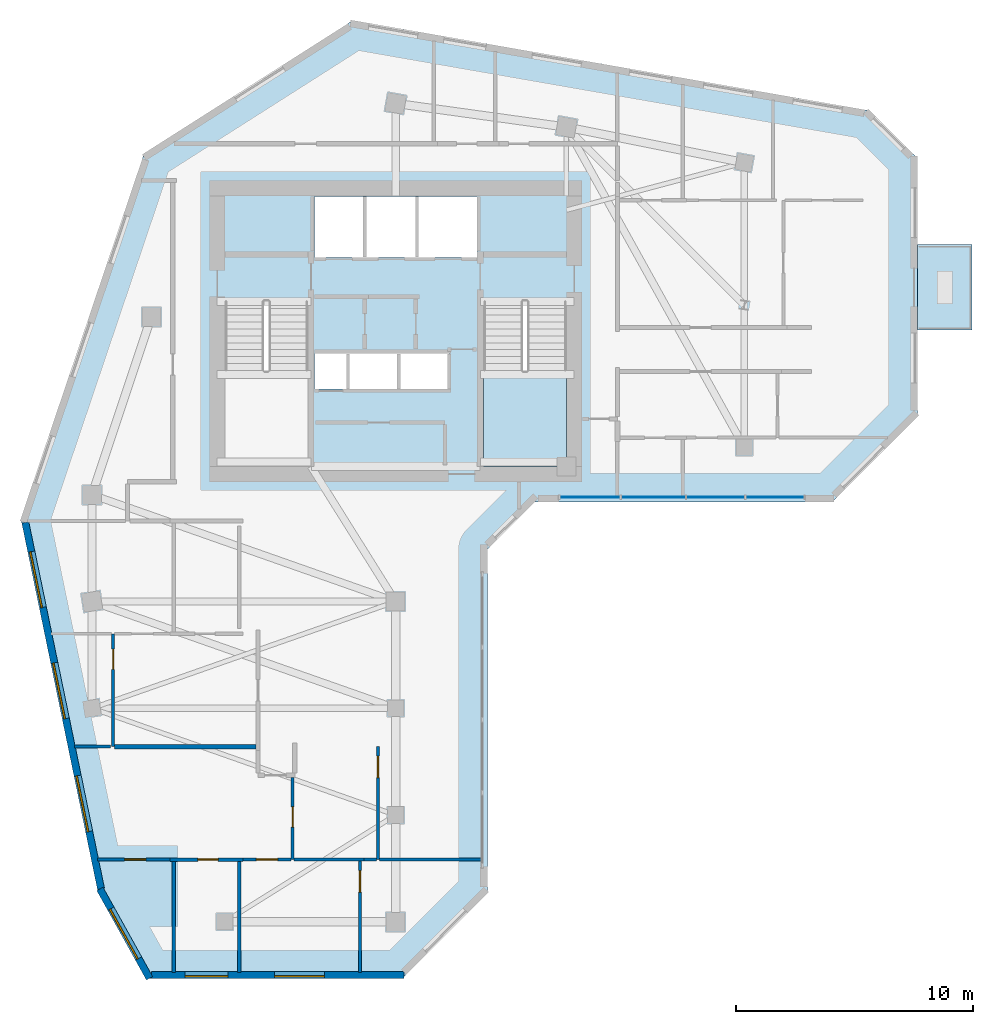
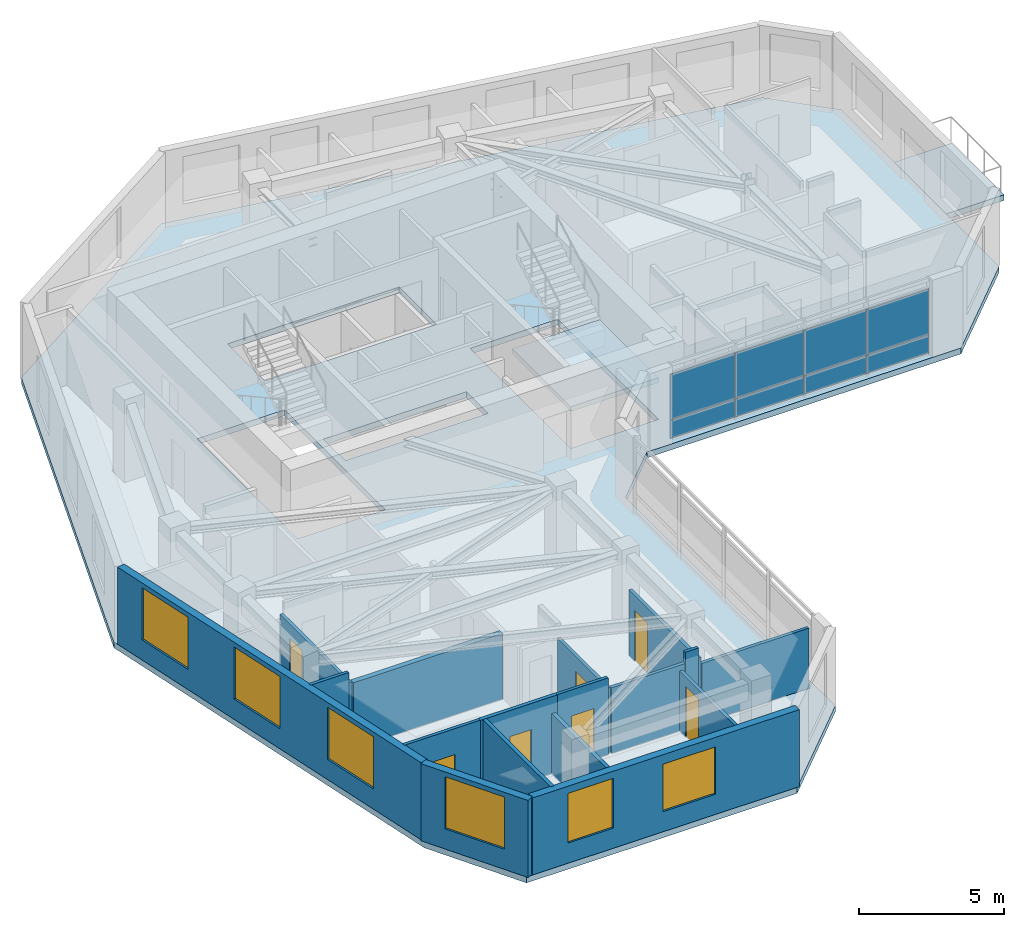
# One storey, part 3 of 10: 17 walls, 8 plates, 7 doors, 6 windows, 3 slabs, 13 openings, 2 elements without a shape of their own.
"""IFC4 building model written with IfcOpenShell, lengths in metres."""

from ifc_helpers import new_model, si_unit, direction, frame, frame_2d, origin, place, context, subcontext, project, spatial, polyline, rectangle, outline, extrude, source, transform, mapped, material, layer, layer_set, type_object, element, fill, aggregate, save


model = new_model("IFC4")

# Units and contexts
model_context = context("Model", 3, precision=1e-05, world=origin(), true_north=direction((0.0, 1.0)))
body_context = subcontext(model_context, "Body", "Model", "MODEL_VIEW")
ifc_project = project(units=[si_unit("LENGTHUNIT", "METRE"), si_unit("AREAUNIT", "SQUARE_METRE"), si_unit("VOLUMEUNIT", "CUBIC_METRE"), si_unit("PLANEANGLEUNIT", "RADIAN"), si_unit("MASSUNIT", "GRAM", prefix="KILO")], contexts=[model_context])

# Site, building, storey
site_placement = place(None, origin())
site = spatial("IfcSite", under=ifc_project, at=site_placement, CompositionType="ELEMENT")
building_placement = place(site_placement, origin())
building = spatial("IfcBuilding", under=site, at=building_placement, Name="Calvemar Wedge Station Tower", CompositionType="ELEMENT")
storey_placement = place(building_placement, frame((0.0, 0.0, 218.39990234375)))
storey = spatial("IfcBuildingStorey", under=building, at=storey_placement, Name="L55", CompositionType="ELEMENT", Elevation=218.39990234375)

# Curtain wall, plates
ifc_material_1 = material(Name="Anodised aluminium 6063-T6", Category="aluminium")
curtain_wall_type = type_object("IfcCurtainWallType", Name="CW3", PredefinedType="NOTDEFINED", material=ifc_material_1)
curtain_wall_placement = place(storey_placement, origin())
curtain_wall = element("IfcCurtainWall", 1, at=curtain_wall_placement, inside=storey, type_object=curtain_wall_type, Name="Storey L55 CW3 Recessed Unitised Curtain Wall 6", PredefinedType="NOTDEFINED")
ifc_material_2 = material(Name="Low-E laminated insulated glass", Category="glass")
ifc_layer_1 = layer(ifc_material_2, 0.028076171875)
ifc_layer_set_1 = layer_set([ifc_layer_1], Name="Low-E laminated insulated glass")
plate_type_1 = type_object("IfcPlateType", Name="CW3-GLZ", PredefinedType="CURTAIN_PANEL", material=ifc_layer_set_1)
plate_1_placement = place(storey_placement, frame((30.719970703125, 32.902099609375, 0.8701171875), z_axis=(0.0, 0.0, 1.0), x_axis=(1.0, 0.0, 0.0)))
plate_1 = element("IfcPlate", 2, at=plate_1_placement, type_object=plate_type_1, Name="CW3 vision glass panel 1", PredefinedType="CURTAIN_PANEL", context=body_context, shape_type="SweptSolid", body=[
    extrude(rectangle(XDim=2.552001953125, YDim=0.028076171875, at=frame_2d((1.27587890625, 0.0))), origin(), (0.0, 0.0, 1.0), 1.909912109375),
])
plate_2_placement = place(storey_placement, frame((33.30810546875, 32.902099609375, 0.8701171875), z_axis=(0.0, 0.0, 1.0), x_axis=(1.0, 0.0, 0.0)))
plate_2 = element("IfcPlate", 3, at=plate_2_placement, type_object=plate_type_1, Name="CW3 vision glass panel 2", PredefinedType="CURTAIN_PANEL", context=body_context, shape_type="SweptSolid", body=[
    extrude(rectangle(XDim=2.7138671875, YDim=0.028076171875, at=frame_2d((1.35693359375, 0.0))), origin(), (0.0, 0.0, 1.0), 1.909912109375),
])
plate_3_placement = place(storey_placement, frame((36.05810546875, 32.902099609375, 0.8701171875), z_axis=(0.0, 0.0, 1.0), x_axis=(1.0, 0.0, 0.0)))
plate_3 = element("IfcPlate", 4, at=plate_3_placement, type_object=plate_type_1, Name="CW3 vision glass panel 3", PredefinedType="CURTAIN_PANEL", context=body_context, shape_type="SweptSolid", body=[
    extrude(rectangle(XDim=2.462890625, YDim=0.028076171875, at=frame_2d((1.2314453125, 0.0))), origin(), (0.0, 0.0, 1.0), 1.909912109375),
])
plate_4_placement = place(storey_placement, frame((38.556884765625, 32.902099609375, 0.8701171875), z_axis=(0.0, 0.0, 1.0), x_axis=(1.0, 0.0, 0.0)))
plate_4 = element("IfcPlate", 5, at=plate_4_placement, type_object=plate_type_1, Name="CW3 vision glass panel 4", PredefinedType="CURTAIN_PANEL", context=body_context, shape_type="SweptSolid", body=[
    extrude(rectangle(XDim=2.463134765625, YDim=0.028076171875, at=frame_2d((1.2314453125, 0.0))), origin(), (0.0, 0.0, 1.0), 1.909912109375),
])
ifc_material_3 = material(Name="Oxidized bronze aluminium spandrel panel 5005-H24", Category="aluminium")
ifc_layer_2 = layer(ifc_material_3, 0.0400390625)
ifc_layer_set_2 = layer_set([ifc_layer_2], Name="Oxidized bronze aluminium spandrel panel 5005-H24")
plate_type_2 = type_object("IfcPlateType", Name="CW3-SPD", PredefinedType="SHEET", material=ifc_layer_set_2)
plate_5_placement = place(storey_placement, frame((30.719970703125, 32.902099609375, 0.080078125), z_axis=(0.0, 0.0, 1.0), x_axis=(1.0, 0.0, 0.0)))
plate_5 = element("IfcPlate", 6, at=plate_5_placement, type_object=plate_type_2, Name="CW3 bronze spandrel panel 1", PredefinedType="SHEET", context=body_context, shape_type="SweptSolid", body=[
    extrude(rectangle(XDim=2.552001953125, YDim=0.0400390625, at=frame_2d((1.27587890625, 0.0))), origin(), (0.0, 0.0, 1.0), 0.75),
])
plate_6_placement = place(storey_placement, frame((33.30810546875, 32.902099609375, 0.080078125), z_axis=(0.0, 0.0, 1.0), x_axis=(1.0, 0.0, 0.0)))
plate_6 = element("IfcPlate", 7, at=plate_6_placement, type_object=plate_type_2, Name="CW3 bronze spandrel panel 2", PredefinedType="SHEET", context=body_context, shape_type="SweptSolid", body=[
    extrude(rectangle(XDim=2.7138671875, YDim=0.0400390625, at=frame_2d((1.35693359375, 0.0))), origin(), (0.0, 0.0, 1.0), 0.75),
])
plate_7_placement = place(storey_placement, frame((36.05810546875, 32.902099609375, 0.080078125), z_axis=(0.0, 0.0, 1.0), x_axis=(1.0, 0.0, 0.0)))
plate_7 = element("IfcPlate", 8, at=plate_7_placement, type_object=plate_type_2, Name="CW3 bronze spandrel panel 3", PredefinedType="SHEET", context=body_context, shape_type="SweptSolid", body=[
    extrude(rectangle(XDim=2.462890625, YDim=0.0400390625, at=frame_2d((1.2314453125, 0.0))), origin(), (0.0, 0.0, 1.0), 0.75),
])
plate_8_placement = place(storey_placement, frame((38.556884765625, 32.902099609375, 0.080078125), z_axis=(0.0, 0.0, 1.0), x_axis=(1.0, 0.0, 0.0)))
plate_8 = element("IfcPlate", 9, at=plate_8_placement, type_object=plate_type_2, Name="CW3 bronze spandrel panel 4", PredefinedType="SHEET", context=body_context, shape_type="SweptSolid", body=[
    extrude(rectangle(XDim=2.463134765625, YDim=0.0400390625, at=frame_2d((1.2314453125, 0.0))), origin(), (0.0, 0.0, 1.0), 0.75),
])
aggregate(curtain_wall, [plate_5, plate_1, plate_6, plate_2, plate_7, plate_3, plate_8, plate_4])

# Stair, slab
ifc_material_4 = material(Name="Concrete C45", Category="concrete")
stair_type = type_object("IfcStairType", Name="ST-TYPE-3500", PredefinedType="HALF_TURN_STAIR", material=ifc_material_4)
stair_placement = place(storey_placement, origin())
stair = element("IfcStair", 10, at=stair_placement, inside=storey, type_object=stair_type, Name="L55 Pressurized Core Exit Stair ST-C2", PredefinedType="HALF_TURN_STAIR")
ifc_layer_3 = layer(ifc_material_4, 0.199951171875)
ifc_layer_set_3 = layer_set([ifc_layer_3], Name="Concrete C45")
slab_type_1 = type_object("IfcSlabType", Name="SL-STAIR-LND-200", PredefinedType="LANDING", material=ifc_layer_set_3)
slab_1_placement = place(storey_placement, frame((0.0, 0.0, 1.550048828125)))
slab_1 = element("IfcSlab", 11, at=slab_1_placement, type_object=slab_type_1, Name="ST-C2 landing 1", PredefinedType="LANDING", context=body_context, shape_type="SweptSolid", body=[
    extrude(outline(polyline([(27.5, 38.25), (27.5, 34.199951171875), (31.0, 34.199951171875), (31.0, 38.25), (27.5, 38.25)])), origin(), (0.0, 0.0, 1.0), 0.199951171875),
])
aggregate(stair, [slab_1])

# Slabs
ifc_layer_4 = layer(ifc_material_4, 0.239990234375)
ifc_layer_set_4 = layer_set([ifc_layer_4], Name="Concrete C45")
slab_type_2 = type_object("IfcSlabType", Name="SL-TERR-240", PredefinedType="FLOOR", material=ifc_layer_set_4)
slab_2_placement = place(storey_placement, frame((0.0, 0.0, -0.239990234375)))
element("IfcSlab", 12, at=slab_2_placement, inside=storey, type_object=slab_type_2, Name="Storey L55 Planted Spiral Terrace Slab", PredefinedType="FLOOR", context=body_context, shape_type="SweptSolid", body=[
    extrude(outline(polyline([(45.800048828125, 39.94189453125), (48.10009765625, 39.94189453125), (48.10009765625, 43.5419921875), (45.800048828125, 43.5419921875), (45.800048828125, 39.94189453125)])), origin(), (0.0, 0.0, 1.0), 0.239990234375),
])
ifc_material_5 = material(Name="Concrete C50", Category="concrete")
ifc_layer_5 = layer(ifc_material_5, 0.25)
ifc_layer_set_5 = layer_set([ifc_layer_5], Name="Concrete C50")
slab_type_3 = type_object("IfcSlabType", Name="SL-TYP-250", PredefinedType="FLOOR", material=ifc_layer_set_5)
slab_3_placement = place(storey_placement, frame((0.0, 0.0, -0.25)))
element("IfcSlab", 13, at=slab_3_placement, inside=storey, type_object=slab_type_3, Name="Storey L55 Structural Floor Slab", PredefinedType="FLOOR", context=body_context, shape_type="SweptSolid", body=[
    extrude(outline(polyline([(8.0, 32.0), (11.263916015625, 16.199951171875), (13.263916015625, 12.60009765625), (24.06396484375, 12.60009765625), (27.6640625, 16.199951171875), (27.6640625, 30.69189453125), (29.6640625, 32.69189453125), (42.199951171875, 32.69189453125), (45.800048828125, 36.2919921875), (45.800048828125, 47.19189453125), (43.800048828125, 49.19189453125), (22.0, 53.0), (13.199951171875, 47.39990234375), (8.0, 32.0)]), holes=[polyline([(20.10009765625, 34.199951171875), (20.10009765625, 41.14990234375), (16.60009765625, 41.14990234375), (16.60009765625, 34.199951171875), (20.10009765625, 34.199951171875)]), polyline([(27.5, 34.199951171875), (31.0, 34.199951171875), (31.0, 41.14990234375), (27.5, 41.14990234375), (27.5, 34.199951171875)]), polyline([(21.800048828125, 37.449951171875), (23.929931640625, 37.449951171875), (23.93994140625, 37.449951171875), (26.080078125, 37.449951171875), (26.080078125, 38.949951171875), (23.93994140625, 38.949951171875), (23.929931640625, 38.949951171875), (21.800048828125, 38.949951171875), (21.7900390625, 38.949951171875), (20.3798828125, 38.949951171875), (20.3798828125, 37.449951171875), (21.7900390625, 37.449951171875), (21.800048828125, 37.449951171875)]), polyline([(27.219970703125, 43.0), (27.219970703125, 45.580078125), (20.3798828125, 45.580078125), (20.3798828125, 43.0), (27.219970703125, 43.0)])]), origin(), (0.0, 0.0, 1.0), 0.25),
])

# Wall
ifc_material_6 = material(Name="Twin-stud fire-rated inter-tenancy wall")
ifc_layer_6 = layer(ifc_material_6, 0.199951171875)
ifc_layer_set_6 = layer_set([ifc_layer_6], Name="Twin-stud fire-rated inter-tenancy wall")
wall_type_1 = type_object("IfcWallType", Name="W-DEMISE-200", PredefinedType="PARTITIONING", material=ifc_layer_set_6)
wall_1_placement = place(storey_placement, frame((17.906005859375, 22.383056640625, 0.0), z_axis=(0.0, 0.0, 1.0), x_axis=(-1.0, 0.0, 0.0)))
element("IfcWall", 14, at=wall_1_placement, inside=storey, type_object=wall_type_1, Name="Storey L55 Interior Partition WL-L55-051", PredefinedType="PARTITIONING", context=body_context, shape_type="SweptSolid", body=[
    extrude(rectangle(XDim=5.948486328125, YDim=0.199951171875, at=frame_2d((2.97412109375, 0.0))), origin(), (0.0, 0.0, 1.0), 2.779052734375),
])

# Wall, opening, window
ifc_material_7 = material(Name="Precast concrete C45", Category="concrete")
ifc_layer_7 = layer(ifc_material_7, 0.300048828125)
ifc_layer_set_7 = layer_set([ifc_layer_7], Name="Precast concrete C45")
wall_type_2 = type_object("IfcWallType", Name="W-EXT-GFRC-300", PredefinedType="SOLIDWALL", material=ifc_layer_set_7)
wall_2_placement = place(storey_placement, frame((11.33349609375, 16.3837890625, 0.0), z_axis=(0.0, 0.0, 1.0), x_axis=(0.485633305139, -0.874162623852, 0.0)))
wall_2 = element("IfcWall", 15, at=wall_2_placement, inside=storey, type_object=wall_type_2, Name="Storey L55 Bronze GFRC Exterior Wall 1", PredefinedType="SOLIDWALL", context=body_context, shape_type="SweptSolid", body=[
    extrude(rectangle(XDim=4.306884765625, YDim=0.300048828125, at=frame_2d((2.1533203125, 0.0))), origin(), (0.0, 0.0, 1.0), 3.25),
])
shared_shape_1 = source(origin(), body_context, "Body", "SweptSolid", [
    extrude(rectangle(XDim=2.39990234375, YDim=2.199951171875, at=frame_2d((1.199951171875, 1.10009765625))), frame((0.0, 0.16015625, 0.0), z_axis=(0.0, -1.0, 0.0), x_axis=(1.0, 0.0, 0.0)), (0.0, 0.0, 1.0), 0.320068359375),
])
opening_1_placement = place(wall_2_placement, frame((0.9541015625, 0.0, 0.85009765625)))
opening_1 = element("IfcOpeningElement", 16, at=opening_1_placement, cuts=wall_2, Name="Opening W1", PredefinedType="OPENING", context=body_context, shape_type="MappedRepresentation", body=[
    mapped(shared_shape_1, transform((0.0, 0.0, 0.0), scale=1.0)),
])
window_type_1 = type_object("IfcWindowType", Name="WIN-EXT-1", PartitioningType="SINGLE_PANEL", PredefinedType="WINDOW", material=ifc_material_2)
shared_shape_2 = source(origin(), body_context, "Body", "SweptSolid", [
    extrude(rectangle(XDim=2.39990234375, YDim=2.199951171875, at=frame_2d((1.199951171875, 1.10009765625))), frame((0.0, -0.014892578125, 0.0), z_axis=(0.0, -1.0, 0.0), x_axis=(1.0, 0.0, 0.0)), (0.0, 0.0, 1.0), 0.06005859375),
])
window_1_placement = place(opening_1_placement, origin())
window_1 = element("IfcWindow", 17, at=window_1_placement, inside=storey, type_object=window_type_1, Name="Storey L55 Recessed Window 1.1", OverallHeight=2.199951171875, OverallWidth=2.39990234375, PartitioningType="SINGLE_PANEL", PredefinedType="WINDOW", context=body_context, shape_type="MappedRepresentation", body=[
    mapped(shared_shape_2, transform((0.0, 0.0, 0.0), scale=1.0)),
])
fill(opening_1, window_1)

# Wall, openings, windows
wall_3_placement = place(storey_placement, frame((13.510009765625, 12.75, 0.0), z_axis=(0.0, 0.0, 1.0), x_axis=(1.0, 0.0, 0.0)))
wall_3 = element("IfcWall", 18, at=wall_3_placement, inside=storey, type_object=wall_type_2, Name="Storey L55 Bronze GFRC Exterior Wall 2", PredefinedType="SOLIDWALL", context=body_context, shape_type="SweptSolid", body=[
    extrude(rectangle(XDim=10.641845703125, YDim=0.300048828125, at=frame_2d((5.32080078125, 0.0))), origin(), (0.0, 0.0, 1.0), 3.25),
])
shared_shape_3 = source(origin(), body_context, "Body", "SweptSolid", [
    extrude(rectangle(XDim=1.800048828125, YDim=2.10009765625, at=frame_2d((0.89990234375, 1.050048828125))), frame((0.0, 0.16015625, 0.0), z_axis=(0.0, -1.0, 0.0), x_axis=(1.0, 0.0, 0.0)), (0.0, 0.0, 1.0), 0.320068359375),
])
opening_2_placement = place(wall_3_placement, frame((1.4150390625, 0.0, 0.85009765625)))
opening_2 = element("IfcOpeningElement", 19, at=opening_2_placement, cuts=wall_3, Name="Opening W2", PredefinedType="OPENING", context=body_context, shape_type="MappedRepresentation", body=[
    mapped(shared_shape_3, transform((0.0, 0.0, 0.0), scale=1.0)),
])
shared_shape_4 = source(origin(), body_context, "Body", "SweptSolid", [
    extrude(rectangle(XDim=2.10009765625, YDim=2.0, at=frame_2d((1.050048828125, 1.0))), frame((0.0, 0.16015625, 0.0), z_axis=(0.0, -1.0, 0.0), x_axis=(1.0, 0.0, 0.0)), (0.0, 0.0, 1.0), 0.320068359375),
])
opening_3_placement = place(wall_3_placement, frame((5.18994140625, 0.0, 0.85009765625)))
opening_3 = element("IfcOpeningElement", 20, at=opening_3_placement, cuts=wall_3, Name="Opening W4", PredefinedType="OPENING", context=body_context, shape_type="MappedRepresentation", body=[
    mapped(shared_shape_4, transform((0.0, 0.0, 0.0), scale=1.0)),
])
window_type_2 = type_object("IfcWindowType", Name="WIN-EXT-4", PartitioningType="SINGLE_PANEL", PredefinedType="WINDOW", material=ifc_material_2)
shared_shape_5 = source(origin(), body_context, "Body", "SweptSolid", [
    extrude(rectangle(XDim=2.10009765625, YDim=2.0, at=frame_2d((1.050048828125, 1.0))), frame((0.0, -0.014892578125, 0.0), z_axis=(0.0, -1.0, 0.0), x_axis=(1.0, 0.0, 0.0)), (0.0, 0.0, 1.0), 0.06005859375),
])
window_2_placement = place(opening_3_placement, origin())
window_2 = element("IfcWindow", 21, at=window_2_placement, inside=storey, type_object=window_type_2, Name="Storey L55 Recessed Window 2.2", OverallHeight=2.0, OverallWidth=2.10009765625, PartitioningType="SINGLE_PANEL", PredefinedType="WINDOW", context=body_context, shape_type="MappedRepresentation", body=[
    mapped(shared_shape_5, transform((0.0, 0.0, 0.0), scale=1.0)),
])
fill(opening_3, window_2)
window_type_3 = type_object("IfcWindowType", Name="WIN-EXT-2", PartitioningType="SINGLE_PANEL", PredefinedType="WINDOW", material=ifc_material_2)
shared_shape_6 = source(origin(), body_context, "Body", "SweptSolid", [
    extrude(rectangle(XDim=1.800048828125, YDim=2.10009765625, at=frame_2d((0.89990234375, 1.050048828125))), frame((0.0, -0.014892578125, 0.0), z_axis=(0.0, -1.0, 0.0), x_axis=(1.0, 0.0, 0.0)), (0.0, 0.0, 1.0), 0.06005859375),
])
window_3_placement = place(opening_2_placement, origin())
window_3 = element("IfcWindow", 22, at=window_3_placement, inside=storey, type_object=window_type_3, Name="Storey L55 Recessed Window 2.1", OverallHeight=2.10009765625, OverallWidth=1.800048828125, PartitioningType="SINGLE_PANEL", PredefinedType="WINDOW", context=body_context, shape_type="MappedRepresentation", body=[
    mapped(shared_shape_6, transform((0.0, 0.0, 0.0), scale=1.0)),
])
fill(opening_2, window_3)

wall_4_placement = place(storey_placement, frame((8.1875, 31.833984375, 0.0), z_axis=(0.0, 0.0, 1.0), x_axis=(0.202303475707, -0.979322880217, 0.0)))
wall_4 = element("IfcWall", 23, at=wall_4_placement, inside=storey, type_object=wall_type_2, Name="Storey L55 Bronze GFRC Exterior Wall 13", PredefinedType="SOLIDWALL", context=body_context, shape_type="SweptSolid", body=[
    extrude(rectangle(XDim=15.765625, YDim=0.300048828125, at=frame_2d((7.8828125, 0.0))), origin(), (0.0, 0.0, 1.0), 3.25),
])
opening_4_placement = place(wall_4_placement, frame((1.257080078125, 0.0, 0.85009765625)))
opening_4 = element("IfcOpeningElement", 24, at=opening_4_placement, cuts=wall_4, Name="Opening W1", PredefinedType="OPENING", context=body_context, shape_type="MappedRepresentation", body=[
    mapped(shared_shape_1, transform((0.0, 0.0, 0.0), scale=1.0)),
])
opening_5_placement = place(wall_4_placement, frame((6.0439453125, 0.0, 0.85009765625)))
opening_5 = element("IfcOpeningElement", 25, at=opening_5_placement, cuts=wall_4, Name="Opening W1", PredefinedType="OPENING", context=body_context, shape_type="MappedRepresentation", body=[
    mapped(shared_shape_1, transform((0.0, 0.0, 0.0), scale=1.0)),
])
opening_6_placement = place(wall_4_placement, frame((10.904052734375, 0.0, 0.85009765625)))
opening_6 = element("IfcOpeningElement", 26, at=opening_6_placement, cuts=wall_4, Name="Opening W1", PredefinedType="OPENING", context=body_context, shape_type="MappedRepresentation", body=[
    mapped(shared_shape_1, transform((0.0, 0.0, 0.0), scale=1.0)),
])
window_4_placement = place(opening_4_placement, origin())
window_4 = element("IfcWindow", 27, at=window_4_placement, inside=storey, type_object=window_type_1, Name="Storey L55 Recessed Window 13.1", OverallHeight=2.199951171875, OverallWidth=2.39990234375, PartitioningType="SINGLE_PANEL", PredefinedType="WINDOW", context=body_context, shape_type="MappedRepresentation", body=[
    mapped(shared_shape_2, transform((0.0, 0.0, 0.0), scale=1.0)),
])
fill(opening_4, window_4)
window_5_placement = place(opening_5_placement, origin())
window_5 = element("IfcWindow", 28, at=window_5_placement, inside=storey, type_object=window_type_1, Name="Storey L55 Recessed Window 13.2", OverallHeight=2.199951171875, OverallWidth=2.39990234375, PartitioningType="SINGLE_PANEL", PredefinedType="WINDOW", context=body_context, shape_type="MappedRepresentation", body=[
    mapped(shared_shape_2, transform((0.0, 0.0, 0.0), scale=1.0)),
])
fill(opening_5, window_5)
window_6_placement = place(opening_6_placement, origin())
window_6 = element("IfcWindow", 29, at=window_6_placement, inside=storey, type_object=window_type_1, Name="Storey L55 Recessed Window 13.3", OverallHeight=2.199951171875, OverallWidth=2.39990234375, PartitioningType="SINGLE_PANEL", PredefinedType="WINDOW", context=body_context, shape_type="MappedRepresentation", body=[
    mapped(shared_shape_2, transform((0.0, 0.0, 0.0), scale=1.0)),
])
fill(opening_6, window_6)

# Wall, opening, door
ifc_material_8 = material(Name="Insulated acoustic gypsum stud partition")
ifc_layer_8 = layer(ifc_material_8, 0.125)
ifc_layer_set_8 = layer_set([ifc_layer_8], Name="Insulated acoustic gypsum stud partition")
wall_type_3 = type_object("IfcWallType", Name="W-PART-125", PredefinedType="PARTITIONING", material=ifc_layer_set_8)
wall_5_placement = place(storey_placement, frame((11.89111328125, 22.383056640625, 0.0), z_axis=(0.0, 0.0, 1.0), x_axis=(0.0, 1.0, 0.0)))
wall_5 = element("IfcWall", 30, at=wall_5_placement, inside=storey, type_object=wall_type_3, Name="Storey L55 Interior Partition WL-L55-048", PredefinedType="PARTITIONING", context=body_context, shape_type="SweptSolid", body=[
    extrude(rectangle(XDim=4.759033203125, YDim=0.125, at=frame_2d((2.37939453125, 0.0))), origin(), (0.0, 0.0, 1.0), 2.76611328125),
])
shared_shape_7 = source(origin(), body_context, "Body", "SweptSolid", [
    extrude(rectangle(XDim=0.85009765625, YDim=2.14990234375, at=frame_2d((0.425048828125, 1.074951171875))), frame((0.0, 0.072509765625, 0.0), z_axis=(0.0, -1.0, 0.0), x_axis=(1.0, 0.0, 0.0)), (0.0, 0.0, 1.0), 0.14501953125),
])
opening_7_placement = place(wall_5_placement, frame((3.2568359375, 0.0, 0.0)))
opening_7 = element("IfcOpeningElement", 31, at=opening_7_placement, cuts=wall_5, Name="Opening D-02", PredefinedType="OPENING", context=body_context, shape_type="MappedRepresentation", body=[
    mapped(shared_shape_7, transform((0.0, 0.0, 0.0), scale=1.0)),
])
ifc_material_9 = material(Name="Moisture-sealed bathroom hardwood swing door", Category="wood")
door_type_1 = type_object("IfcDoorType", Name="DR-WET-850", OperationType="NOTDEFINED", PredefinedType="DOOR", material=ifc_material_9)
shared_shape_8 = source(origin(), body_context, "Body", "SweptSolid", [
    extrude(rectangle(XDim=0.85009765625, YDim=2.14990234375, at=frame_2d((0.425048828125, 1.074951171875))), frame((0.0, 0.02490234375, 0.0), z_axis=(0.0, -1.0, 0.0), x_axis=(1.0, 0.0, 0.0)), (0.0, 0.0, 1.0), 0.050048828125),
])
door_1_placement = place(opening_7_placement, origin())
door_1 = element("IfcDoor", 32, at=door_1_placement, inside=storey, type_object=door_type_1, Name="L55 Kitchen Door", OperationType="SINGLE_SWING_LEFT", OverallHeight=2.14990234375, OverallWidth=0.85009765625, PredefinedType="DOOR", context=body_context, shape_type="MappedRepresentation", body=[
    mapped(shared_shape_8, transform((0.0, 0.0, 0.0), scale=1.0)),
])
fill(opening_7, door_1)

# Wall
wall_6_placement = place(storey_placement, frame((11.787109375, 22.383056640625, 0.0), z_axis=(0.0, 0.0, 1.0), x_axis=(-1.0, 0.0, 0.0)))
element("IfcWall", 33, at=wall_6_placement, inside=storey, type_object=wall_type_3, Name="Storey L55 Interior Partition WL-L55-053", PredefinedType="PARTITIONING", context=body_context, shape_type="SweptSolid", body=[
    extrude(rectangle(XDim=1.52978515625, YDim=0.125, at=frame_2d((0.764892578125, 0.0))), origin(), (0.0, 0.0, 1.0), 3.25),
])

# Wall, opening, door
wall_7_placement = place(storey_placement, frame((23.056884765625, 17.6240234375, 0.0), z_axis=(0.0, 0.0, 1.0), x_axis=(0.0, 1.0, 0.0)))
wall_7 = element("IfcWall", 34, at=wall_7_placement, inside=storey, type_object=wall_type_3, Name="Storey L55 Interior Partition WL-L55-055", PredefinedType="PARTITIONING", context=body_context, shape_type="SweptSolid", body=[
    extrude(rectangle(XDim=4.759033203125, YDim=0.125, at=frame_2d((2.37939453125, 0.0))), origin(), (0.0, 0.0, 1.0), 2.779052734375),
])
shared_shape_9 = source(origin(), body_context, "Body", "SweptSolid", [
    extrude(rectangle(XDim=0.89990234375, YDim=2.14990234375, at=frame_2d((0.449951171875, 1.074951171875))), frame((0.0, 0.072509765625, 0.0), z_axis=(0.0, -1.0, 0.0), x_axis=(1.0, 0.0, 0.0)), (0.0, 0.0, 1.0), 0.14501953125),
])
opening_8_placement = place(wall_7_placement, frame((3.456787109375, 0.0, 0.0)))
opening_8 = element("IfcOpeningElement", 35, at=opening_8_placement, cuts=wall_7, Name="Opening D-01", PredefinedType="OPENING", context=body_context, shape_type="MappedRepresentation", body=[
    mapped(shared_shape_9, transform((0.0, 0.0, 0.0), scale=1.0)),
])
ifc_material_10 = material(Name="Architectural hardwood acoustic swing door", Category="wood")
door_type_2 = type_object("IfcDoorType", Name="DR-INT-900", OperationType="NOTDEFINED", PredefinedType="DOOR", material=ifc_material_10)
shared_shape_10 = source(origin(), body_context, "Body", "SweptSolid", [
    extrude(rectangle(XDim=0.89990234375, YDim=2.14990234375, at=frame_2d((0.449951171875, 1.074951171875))), frame((0.0, 0.02490234375, 0.0), z_axis=(0.0, -1.0, 0.0), x_axis=(1.0, 0.0, 0.0)), (0.0, 0.0, 1.0), 0.050048828125),
])
door_2_placement = place(opening_8_placement, origin())
door_2 = element("IfcDoor", 36, at=door_2_placement, inside=storey, type_object=door_type_2, Name="L55 Study Door", OperationType="SINGLE_SWING_RIGHT", OverallHeight=2.14990234375, OverallWidth=0.89990234375, PredefinedType="DOOR", context=body_context, shape_type="MappedRepresentation", body=[
    mapped(shared_shape_10, transform((0.0, 0.0, 0.0), scale=1.0)),
])
fill(opening_8, door_2)

# Wall
wall_8_placement = place(storey_placement, frame((27.39892578125, 17.6240234375, 0.0), z_axis=(0.0, 0.0, 1.0), x_axis=(-1.0, 0.0, 0.0)))
element("IfcWall", 37, at=wall_8_placement, inside=storey, type_object=wall_type_3, Name="Storey L55 Interior Partition WL-L55-056", PredefinedType="PARTITIONING", context=body_context, shape_type="SweptSolid", body=[
    extrude(rectangle(XDim=4.275390625, YDim=0.125, at=frame_2d((2.1376953125, 0.0))), origin(), (0.0, 0.0, 1.0), 2.5419921875),
])

# Wall, opening, door
wall_9_placement = place(storey_placement, frame((19.45703125, 21.089111328125, 0.0), z_axis=(0.0, 0.0, 1.0), x_axis=(0.0, -1.0, 0.0)))
wall_9 = element("IfcWall", 38, at=wall_9_placement, inside=storey, type_object=wall_type_3, Name="Storey L55 Interior Partition WL-L55-057", PredefinedType="PARTITIONING", context=body_context, shape_type="SweptSolid", body=[
    extrude(rectangle(XDim=3.465087890625, YDim=0.125, at=frame_2d((1.732421875, 0.0))), origin(), (0.0, 0.0, 1.0), 2.779052734375),
])
opening_9_placement = place(wall_9_placement, frame((1.2470703125, 0.0, 0.0)))
opening_9 = element("IfcOpeningElement", 39, at=opening_9_placement, cuts=wall_9, Name="Opening D-02", PredefinedType="OPENING", context=body_context, shape_type="MappedRepresentation", body=[
    mapped(shared_shape_7, transform((0.0, 0.0, 0.0), scale=1.0)),
])
door_3_placement = place(opening_9_placement, origin())
door_3 = element("IfcDoor", 40, at=door_3_placement, inside=storey, type_object=door_type_1, Name="L55 Kitchen Door", OperationType="SINGLE_SWING_RIGHT", OverallHeight=2.14990234375, OverallWidth=0.85009765625, PredefinedType="DOOR", context=body_context, shape_type="MappedRepresentation", body=[
    mapped(shared_shape_8, transform((0.0, 0.0, 0.0), scale=1.0)),
])
fill(opening_9, door_3)

wall_10_placement = place(storey_placement, frame((14.2880859375, 17.6240234375, 0.0), z_axis=(0.0, 0.0, 1.0), x_axis=(-1.0, 0.0, 0.0)))
wall_10 = element("IfcWall", 41, at=wall_10_placement, inside=storey, type_object=wall_type_3, Name="Storey L55 Interior Partition WL-L55-059", PredefinedType="PARTITIONING", context=body_context, shape_type="SweptSolid", body=[
    extrude(rectangle(XDim=3.047607421875, YDim=0.125, at=frame_2d((1.52392578125, 0.0))), origin(), (0.0, 0.0, 1.0), 3.25),
])
opening_10_placement = place(wall_10_placement, frame((1.0126953125, 0.0, 0.0)))
opening_10 = element("IfcOpeningElement", 42, at=opening_10_placement, cuts=wall_10, Name="Opening D-01", PredefinedType="OPENING", context=body_context, shape_type="MappedRepresentation", body=[
    mapped(shared_shape_9, transform((0.0, 0.0, 0.0), scale=1.0)),
])
door_4_placement = place(opening_10_placement, origin())
door_4 = element("IfcDoor", 43, at=door_4_placement, inside=storey, type_object=door_type_2, Name="L55 Bedroom Door", OperationType="SINGLE_SWING_RIGHT", OverallHeight=2.14990234375, OverallWidth=0.89990234375, PredefinedType="DOOR", context=body_context, shape_type="MappedRepresentation", body=[
    mapped(shared_shape_10, transform((0.0, 0.0, 0.0), scale=1.0)),
])
fill(opening_10, door_4)

wall_11_placement = place(storey_placement, frame((19.390380859375, 17.6240234375, 0.0), z_axis=(0.0, 0.0, 1.0), x_axis=(-1.0, 0.0, 0.0)))
wall_11 = element("IfcWall", 44, at=wall_11_placement, inside=storey, type_object=wall_type_3, Name="Storey L55 Interior Partition WL-L55-060", PredefinedType="PARTITIONING", context=body_context, shape_type="SweptSolid", body=[
    extrude(rectangle(XDim=2.0283203125, YDim=0.125, at=frame_2d((1.01416015625, 0.0))), origin(), (0.0, 0.0, 1.0), 3.25),
])
opening_11_placement = place(wall_11_placement, frame((0.564208984375, 0.0, 0.0)))
opening_11 = element("IfcOpeningElement", 45, at=opening_11_placement, cuts=wall_11, Name="Opening D-01", PredefinedType="OPENING", context=body_context, shape_type="MappedRepresentation", body=[
    mapped(shared_shape_9, transform((0.0, 0.0, 0.0), scale=1.0)),
])
door_5_placement = place(opening_11_placement, origin())
door_5 = element("IfcDoor", 46, at=door_5_placement, inside=storey, type_object=door_type_2, Name="L55 Master Bedroom Door", OperationType="SINGLE_SWING_LEFT", OverallHeight=2.14990234375, OverallWidth=0.89990234375, PredefinedType="DOOR", context=body_context, shape_type="MappedRepresentation", body=[
    mapped(shared_shape_10, transform((0.0, 0.0, 0.0), scale=1.0)),
])
fill(opening_11, door_5)

# Walls
wall_12_placement = place(storey_placement, frame((22.4599609375, 17.6240234375, 0.0), z_axis=(0.0, 0.0, 1.0), x_axis=(-1.0, 0.0, 0.0)))
element("IfcWall", 47, at=wall_12_placement, inside=storey, type_object=wall_type_3, Name="Storey L55 Interior Partition WL-L55-061", PredefinedType="PARTITIONING", context=body_context, shape_type="SweptSolid", body=[
    extrude(rectangle(XDim=2.9365234375, YDim=0.125, at=frame_2d((1.46826171875, 0.0))), origin(), (0.0, 0.0, 1.0), 2.779052734375),
])
wall_13_placement = place(storey_placement, frame((22.990478515625, 17.6240234375, 0.0), z_axis=(0.0, 0.0, 1.0), x_axis=(-1.0, 0.0, 0.0)))
element("IfcWall", 48, at=wall_13_placement, inside=storey, type_object=wall_type_3, Name="Storey L55 Interior Partition WL-L55-062", PredefinedType="PARTITIONING", context=body_context, shape_type="SweptSolid", body=[
    extrude(rectangle(XDim=0.528564453125, YDim=0.125, at=frame_2d((0.26416015625, 0.0))), origin(), (0.0, 0.0, 1.0), 3.25),
])

# Wall, opening, door
wall_14_placement = place(storey_placement, frame((22.300048828125, 17.5576171875, 0.0), z_axis=(0.0, 0.0, 1.0), x_axis=(0.0, -1.0, 0.0)))
wall_14 = element("IfcWall", 49, at=wall_14_placement, inside=storey, type_object=wall_type_3, Name="Storey L55 Interior Partition WL-L55-065", PredefinedType="PARTITIONING", context=body_context, shape_type="SweptSolid", body=[
    extrude(rectangle(XDim=4.692626953125, YDim=0.125, at=frame_2d((2.34619140625, 0.0))), origin(), (0.0, 0.0, 1.0), 2.5419921875),
])
opening_12_placement = place(wall_14_placement, frame((0.404296875, 0.0, 0.0)))
opening_12 = element("IfcOpeningElement", 50, at=opening_12_placement, cuts=wall_14, Name="Opening D-01", PredefinedType="OPENING", context=body_context, shape_type="MappedRepresentation", body=[
    mapped(shared_shape_9, transform((0.0, 0.0, 0.0), scale=1.0)),
])
door_6_placement = place(opening_12_placement, origin())
door_6 = element("IfcDoor", 51, at=door_6_placement, inside=storey, type_object=door_type_2, Name="L55 Master Bedroom Door", OperationType="SINGLE_SWING_RIGHT", OverallHeight=2.14990234375, OverallWidth=0.89990234375, PredefinedType="DOOR", context=body_context, shape_type="MappedRepresentation", body=[
    mapped(shared_shape_10, transform((0.0, 0.0, 0.0), scale=1.0)),
])
fill(opening_12, door_6)

ifc_material_11 = material(Name="Moisture-resistant acoustic bathroom partition")
ifc_layer_9 = layer(ifc_material_11, 0.14990234375)
ifc_layer_set_9 = layer_set([ifc_layer_9], Name="Moisture-resistant acoustic bathroom partition")
wall_type_4 = type_object("IfcWallType", Name="W-WET-150", PredefinedType="PARTITIONING", material=ifc_layer_set_9)
wall_15_placement = place(storey_placement, frame((17.360107421875, 17.6240234375, 0.0), z_axis=(0.0, 0.0, 1.0), x_axis=(-1.0, 0.0, 0.0)))
wall_15 = element("IfcWall", 52, at=wall_15_placement, inside=storey, type_object=wall_type_4, Name="Storey L55 Interior Partition WL-L55-058", PredefinedType="PARTITIONING", context=body_context, shape_type="SweptSolid", body=[
    extrude(rectangle(XDim=3.070068359375, YDim=0.14990234375, at=frame_2d((1.53515625, 0.0))), origin(), (0.0, 0.0, 1.0), 3.25),
])
shared_shape_11 = source(origin(), body_context, "Body", "SweptSolid", [
    extrude(rectangle(XDim=0.85009765625, YDim=2.14990234375, at=frame_2d((0.425048828125, 1.074951171875))), frame((0.0, 0.0849609375, 0.0), z_axis=(0.0, -1.0, 0.0), x_axis=(1.0, 0.0, 0.0)), (0.0, 0.0, 1.0), 0.169921875),
])
opening_13_placement = place(wall_15_placement, frame((1.046142578125, 0.0, 0.0)))
opening_13 = element("IfcOpeningElement", 53, at=opening_13_placement, cuts=wall_15, Name="Opening D-02", PredefinedType="OPENING", context=body_context, shape_type="MappedRepresentation", body=[
    mapped(shared_shape_11, transform((0.0, 0.0, 0.0), scale=1.0)),
])
door_7_placement = place(opening_13_placement, origin())
door_7 = element("IfcDoor", 54, at=door_7_placement, inside=storey, type_object=door_type_1, Name="L55 Bathroom Door", OperationType="SINGLE_SWING_LEFT", OverallHeight=2.14990234375, OverallWidth=0.85009765625, PredefinedType="DOOR", context=body_context, shape_type="MappedRepresentation", body=[
    mapped(shared_shape_8, transform((0.0, 0.0, 0.0), scale=1.0)),
])
fill(opening_13, door_7)

# Walls
wall_16_placement = place(storey_placement, frame((14.449951171875, 12.864990234375, 0.0), z_axis=(0.0, 0.0, 1.0), x_axis=(0.0, 1.0, 0.0)))
element("IfcWall", 55, at=wall_16_placement, inside=storey, type_object=wall_type_4, Name="Storey L55 Interior Partition WL-L55-063", PredefinedType="PARTITIONING", context=body_context, shape_type="SweptSolid", body=[
    extrude(rectangle(XDim=4.679931640625, YDim=0.14990234375, at=frame_2d((2.33984375, 0.0))), origin(), (0.0, 0.0, 1.0), 3.25),
])
wall_17_placement = place(storey_placement, frame((17.199951171875, 17.544921875, 0.0), z_axis=(0.0, 0.0, 1.0), x_axis=(0.0, -1.0, 0.0)))
element("IfcWall", 56, at=wall_17_placement, inside=storey, type_object=wall_type_4, Name="Storey L55 Interior Partition WL-L55-064", PredefinedType="PARTITIONING", context=body_context, shape_type="SweptSolid", body=[
    extrude(rectangle(XDim=4.679931640625, YDim=0.14990234375, at=frame_2d((2.33984375, 0.0))), origin(), (0.0, 0.0, 1.0), 2.5419921875),
])

save(model, "model.ifc")
